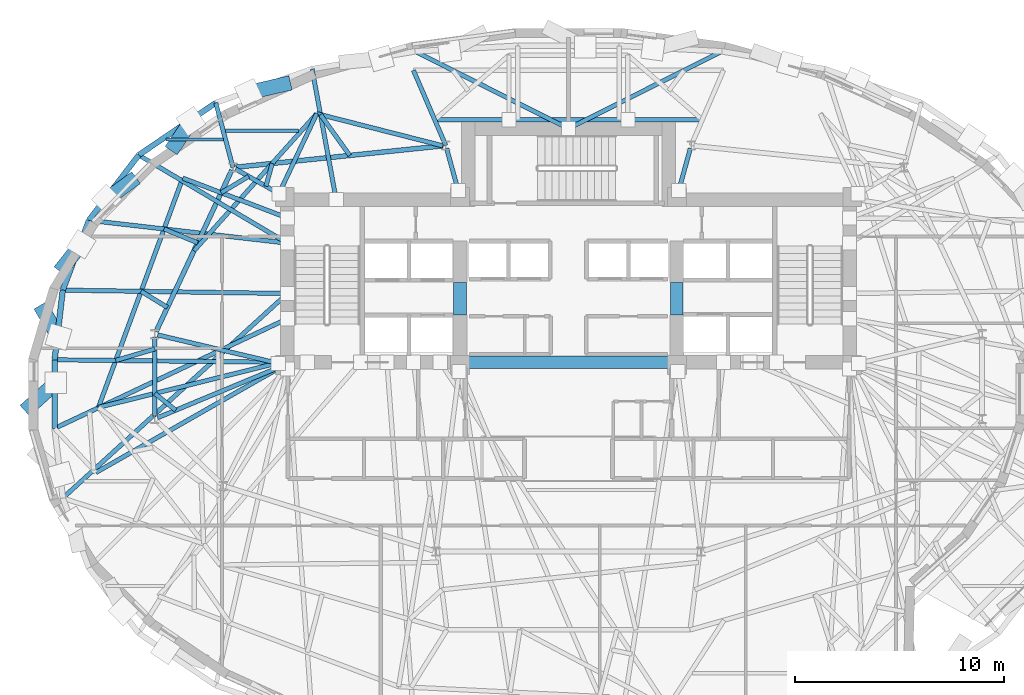
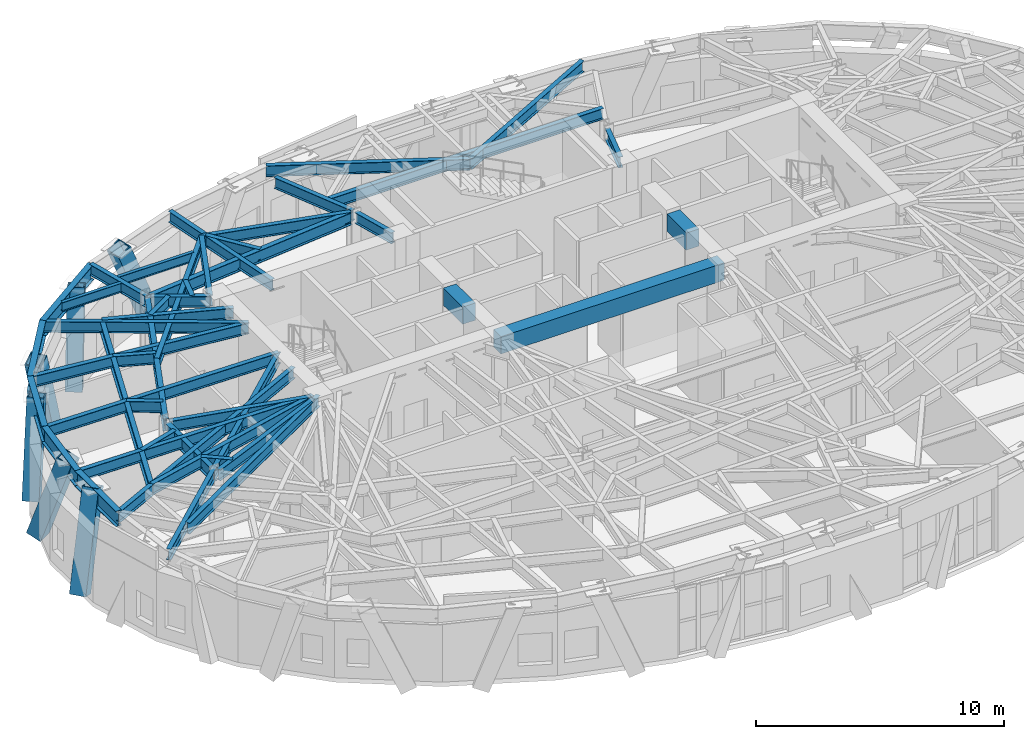
# One storey, part 3 of 16: 44 beams, 6 members.
"""IFC4 building model written with IfcOpenShell, lengths in metres."""

import ifcopenshell
import ifcopenshell.guid

model = None  # the IFC model being written
_history = None  # IfcOwnerHistory: only IFC2X3 demands one
_inside = {}  # id of a spatial element -> (the spatial element, [elements in it])
_under = {}  # id of a project, library or spatial element -> (it, [spatial elements below it])
_declared = {}  # id of a project -> (the project, [libraries it declares])
_typed = {}  # id of a type object -> (the type object, [elements of that type])
_made_of = {}  # id of a material, layer set ... -> (it, [elements and type objects made of it])


def new_model(schema):
    """Start an empty IFC model of exactly this schema.

    Asked for "IFC4X3", IfcOpenShell would pick the latest addendum, in which some entities
    have other attributes; the version numbers below select the first issue.
    IFC2X3 requires an IfcOwnerHistory on every rooted entity: one is made here for all.
    """
    global model, _history
    if schema == "IFC4X3":
        model = ifcopenshell.file(schema_version=(4, 3, 0, 0))
    else:
        model = ifcopenshell.file(schema=schema)
    _inside.clear()
    _under.clear()
    _declared.clear()
    _typed.clear()
    _made_of.clear()
    _history = None
    if model.schema == "IFC2X3":
        org = make("IfcOrganization", Name="unknown")
        user = make(
            "IfcPersonAndOrganization",
            ThePerson=make("IfcPerson", FamilyName="unknown"),
            TheOrganization=org,
        )
        app = make(
            "IfcApplication",
            ApplicationDeveloper=org,
            Version="unknown",
            ApplicationFullName="unknown",
            ApplicationIdentifier="unknown",
        )
        _history = make(
            "IfcOwnerHistory",
            OwningUser=user,
            OwningApplication=app,
            ChangeAction="ADDED",
            CreationDate=0,
        )
    return model


def make(cls, **values):
    """One entity of the class cls with the attributes given. An attribute that is None is left unset."""
    return model.create_entity(
        cls, **{name: value for name, value in values.items() if value is not None}
    )


def rooted(cls, **values):
    """An entity with a GlobalId (a new one), such as an element, a storey or a relation."""
    return make(cls, GlobalId=ifcopenshell.guid.new(), OwnerHistory=_history, **values)


def si_unit(unit_type, name, prefix=None):
    """IfcSIUnit, for example si_unit("LENGTHUNIT", "METRE", prefix="MILLI")."""
    return make("IfcSIUnit", UnitType=unit_type, Prefix=prefix, Name=name)


def assignment(units):
    """IfcUnitAssignment: the units of a project."""
    return None if units is None else make("IfcUnitAssignment", Units=units)


def point(xyz):
    """IfcCartesianPoint."""
    return None if xyz is None else make("IfcCartesianPoint", Coordinates=xyz)


def direction(xyz):
    """IfcDirection."""
    return None if xyz is None else make("IfcDirection", DirectionRatios=xyz)


def frame(location, z_axis=None, x_axis=None):
    """IfcAxis2Placement3D, a coordinate frame: its origin and axes. An axis left out is left unset."""
    return make(
        "IfcAxis2Placement3D",
        Location=point(location),
        Axis=direction(z_axis),
        RefDirection=direction(x_axis),
    )


def frame_2d(location, x_axis=None):
    """IfcAxis2Placement2D, a coordinate frame in the plane: its origin and x axis."""
    return make(
        "IfcAxis2Placement2D", Location=point(location), RefDirection=direction(x_axis)
    )


def origin():
    """The frame at (0, 0, 0) with its axes left unset."""
    return frame((0.0, 0.0, 0.0))


def origin_2d():
    """The frame at (0, 0) in the plane with its x axis left unset."""
    return frame_2d((0.0, 0.0))


def place(relative_to, where):
    """IfcLocalPlacement: puts the frame where relative to a parent placement (None: the world)."""
    return make(
        "IfcLocalPlacement", PlacementRelTo=relative_to, RelativePlacement=where
    )


def context(
    kind, dimensions, precision=None, world=None, true_north=None, identifier=None
):
    """IfcGeometricRepresentationContext, for example the 3D "Model" context."""
    return make(
        "IfcGeometricRepresentationContext",
        ContextIdentifier=identifier,
        ContextType=kind,
        CoordinateSpaceDimension=dimensions,
        Precision=precision,
        WorldCoordinateSystem=world,
        TrueNorth=true_north,
    )


def subcontext(parent, identifier, kind, view, scale=None):
    """IfcGeometricRepresentationSubContext, for example "Body" below "Model"."""
    return make(
        "IfcGeometricRepresentationSubContext",
        ContextIdentifier=identifier,
        ContextType=kind,
        ParentContext=parent,
        TargetScale=scale,
        TargetView=view,
    )


def project(units=None, contexts=None):
    """IfcProject with its units and contexts."""
    return rooted(
        "IfcProject",
        Name="project",
        RepresentationContexts=contexts,
        UnitsInContext=assignment(units),
    )


def spatial(cls, under=None, at=None, **own):
    """A site, building, storey or space (cls), placed at a placement, below another one or the project."""
    s = rooted(cls, ObjectPlacement=at, **own)
    if under is not None:
        _under.setdefault(under.id(), (under, []))[1].append(s)
    return s


def profile(cls, at=None, kind="AREA", **sizes):
    """A parametric profile (cls). Its sizes go by their IFC names, for example OverallWidth=200.0."""
    return make(cls, ProfileType=kind, Position=at, **sizes)


def rectangle(**sizes):
    """IfcRectangleProfileDef."""
    return profile("IfcRectangleProfileDef", **sizes)


def hollow_rectangle(**sizes):
    """IfcRectangleHollowProfileDef."""
    return profile("IfcRectangleHollowProfileDef", **sizes)


def i_section(**sizes):
    """IfcIShapeProfileDef."""
    return profile("IfcIShapeProfileDef", **sizes)


def extrude(swept, where, along, depth):
    """IfcExtrudedAreaSolid: the profile swept, set in the frame where, extruded along a direction by depth."""
    return make(
        "IfcExtrudedAreaSolid",
        SweptArea=swept,
        Position=where,
        ExtrudedDirection=direction(along),
        Depth=depth,
    )


def shape(context_of_items, identifier, shape_type, items):
    """IfcShapeRepresentation: the items that make up one representation, for example the "Body"."""
    return make(
        "IfcShapeRepresentation",
        ContextOfItems=context_of_items,
        RepresentationIdentifier=identifier,
        RepresentationType=shape_type,
        Items=items,
    )


def material(Name=None, Category=None):
    """IfcMaterial."""
    return make("IfcMaterial", Name=Name, Category=Category)


def material_profile(
    of_material, cross_section, Name=None, Category=None, Priority=None
):
    """IfcMaterialProfile: a cross section and its material."""
    return make(
        "IfcMaterialProfile",
        Name=Name,
        Material=of_material,
        Profile=cross_section,
        Priority=Priority,
        Category=Category,
    )


def profile_set(profiles, Name=None, composite=None):
    """IfcMaterialProfileSet."""
    return make(
        "IfcMaterialProfileSet",
        Name=Name,
        MaterialProfiles=profiles,
        CompositeProfile=composite,
    )


def made_of(thing, what):
    """Note that an element or type object is made of a material, layer set ...; save() writes the relation."""
    if what is not None:
        _made_of.setdefault(what.id(), (what, []))[1].append(thing)
    return thing


def type_object(cls, material=None, **own):
    """A type object (cls), such as IfcWallType, which elements share."""
    return made_of(rooted(cls, **own), material)


def element(
    cls,
    number,
    at=None,
    inside=None,
    cuts=None,
    type_object=None,
    material=None,
    context=None,
    identifier="Body",
    shape_type=None,
    held_by="IfcProductDefinitionShape",
    body=None,
    shapes=None,
    **own,
):
    """One element of the class cls, such as IfcWall. Its Tag is "e" and its number.

    at: its placement. inside: the storey or other place that contains it. cuts: it is an
    opening in that element (IfcRelVoidsElement). A single representation is given by context,
    identifier, shape_type and body (its items); several are given by shapes. held_by: the class
    of the entity that holds the representations. save() writes the other relations.
    """
    e = rooted(cls, Tag="e%d" % number, ObjectPlacement=at, **own)
    if body is not None:
        shapes = [shape(context, identifier, shape_type, body)]
    if shapes is not None:
        e.Representation = make(held_by, Representations=shapes)
    if inside is not None:
        _inside.setdefault(inside.id(), (inside, []))[1].append(e)
    if cuts is not None:
        rooted(
            "IfcRelVoidsElement", RelatingBuildingElement=cuts, RelatedOpeningElement=e
        )
    if type_object is not None:
        _typed.setdefault(type_object.id(), (type_object, []))[1].append(e)
    return made_of(e, material)


def aggregate(whole, parts):
    """IfcRelAggregates: a whole, such as a stair, and the parts it consists of."""
    return rooted("IfcRelAggregates", RelatingObject=whole, RelatedObjects=parts)


def save(model, path):
    """Write the relations noted so far, then the file.

    IfcRelAggregates (storeys below a building ...), IfcRelContainedInSpatialStructure (elements
    in a storey), IfcRelDefinesByType, IfcRelAssociatesMaterial and IfcRelDeclares: one each for
    every whole, place, type object, material and project.
    """
    for whole, parts in _under.values():
        aggregate(whole, parts)
    for where, things in _inside.values():
        rooted(
            "IfcRelContainedInSpatialStructure",
            RelatedElements=things,
            RelatingStructure=where,
        )
    for kind, things in _typed.values():
        rooted("IfcRelDefinesByType", RelatedObjects=things, RelatingType=kind)
    for what, things in _made_of.values():
        rooted("IfcRelAssociatesMaterial", RelatedObjects=things, RelatingMaterial=what)
    for by, libraries in _declared.values():
        rooted("IfcRelDeclares", RelatingContext=by, RelatedDefinitions=libraries)
    model.write(path)


model = new_model("IFC4")

# Units and contexts
model_context = context("Model", 3, precision=1e-05, world=origin(), true_north=direction((0.0, 1.0)))
body_context = subcontext(model_context, "Body", "Model", "MODEL_VIEW")
ifc_project = project(units=[si_unit("LENGTHUNIT", "METRE"), si_unit("AREAUNIT", "SQUARE_METRE"), si_unit("VOLUMEUNIT", "CUBIC_METRE"), si_unit("PLANEANGLEUNIT", "RADIAN"), si_unit("MASSUNIT", "GRAM", prefix="KILO")], contexts=[model_context])

# Site, building, storey
site_placement = place(None, origin())
site = spatial("IfcSite", under=ifc_project, at=site_placement, CompositionType="ELEMENT")
building_placement = place(site_placement, origin())
building = spatial("IfcBuilding", under=site, at=building_placement, Name="Keldmark Tower", CompositionType="ELEMENT")
storey_placement = place(building_placement, frame((0.0, 0.0, 139.60009765625)))
storey = spatial("IfcBuildingStorey", under=building, at=storey_placement, Name="L37", CompositionType="ELEMENT", Elevation=139.60009765625)

# Beams
ifc_material_1 = material(Name="Steel ASTM A992 Grade 50", Category="steel")
ifc_material_profile_1 = material_profile(ifc_material_1, i_section(OverallWidth=0.153076171875, OverallDepth=0.455078125, WebThickness=0.008056640625, FlangeThickness=0.01318359375, at=origin_2d()), Name="W18X40")
ifc_profile_set_1 = profile_set([ifc_material_profile_1], Name="Steel ASTM A992 Grade 50")
beam_type_1 = type_object("IfcBeamType", Name="Composite Floor Joist W18X40", PredefinedType="JOIST", material=ifc_profile_set_1)
beam_1_placement = place(storey_placement, frame((-19.28076171875, 12.199951171875, 3.79248046875), z_axis=(1.0, 0.0, 0.0), x_axis=(0.0, 1.0, 0.0)))
element("IfcBeam", 1, at=beam_1_placement, inside=storey, type_object=beam_type_1, Name="L37 Composite Floor Joist J07", PredefinedType="JOIST", context=body_context, shape_type="SweptSolid", body=[
    extrude(i_section(OverallWidth=0.153076171875, OverallDepth=0.455078125, WebThickness=0.008056640625, FlangeThickness=0.01318359375, at=origin_2d()), origin(), (0.0, 0.0, 1.0), 2.74365234375),
])
beam_2_placement = place(storey_placement, frame((-16.44970703125, 12.6201171875, 3.79248046875), z_axis=(1.0, 0.0, 0.0), x_axis=(0.0, 1.0, 0.0)))
element("IfcBeam", 2, at=beam_2_placement, inside=storey, type_object=beam_type_1, Name="L37 Composite Floor Joist J08", PredefinedType="JOIST", context=body_context, shape_type="SweptSolid", body=[
    extrude(i_section(OverallWidth=0.153076171875, OverallDepth=0.455078125, WebThickness=0.008056640625, FlangeThickness=0.01318359375, at=origin_2d()), origin(), (0.0, 0.0, 1.0), 3.51611328125),
])
ifc_material_2 = material(Name="Concrete C50/60", Category="concrete")
ifc_material_profile_2 = material_profile(ifc_material_2, rectangle(XDim=0.60009765625, YDim=0.85009765625, at=origin_2d()), Name="RCB600X850")
ifc_profile_set_2 = profile_set([ifc_material_profile_2], Name="Concrete C50/60")
beam_type_2 = type_object("IfcBeamType", Name="Core Coupling Beam RCB600X850", PredefinedType="USERDEFINED", material=ifc_profile_set_2)
for number, where, z_axis, x_axis, name in (
    (3, (-5.199951171875, 3.800048828125, 3.594970703125), (0.0, 1.0, 0.0), (-1.0, 0.0, 0.0), "L37 West Core Coupling Beam"),
    (4, (5.199951171875, 3.800048828125, 3.594970703125), (0.0, 1.0, 0.0), (-1.0, 0.0, 0.0), "L37 East Core Coupling Beam"),
):
    element("IfcBeam", number, at=place(storey_placement, frame(where, z_axis=z_axis, x_axis=x_axis)), inside=storey, type_object=beam_type_2, Name=name, ObjectType="COUPLING BEAM", PredefinedType="USERDEFINED", context=body_context, shape_type="SweptSolid", body=[
        extrude(rectangle(XDim=0.60009765625, YDim=0.85009765625, at=origin_2d()), origin(), (0.0, 0.0, 1.0), 1.550048828125),
    ])
beam_3_placement = place(storey_placement, frame((-5.199951171875, 1.52490234375, 3.594970703125), z_axis=(1.0, 0.0, 0.0), x_axis=(0.0, 1.0, 0.0)))
element("IfcBeam", 5, at=beam_3_placement, inside=storey, type_object=beam_type_2, Name="L37 Central South Core Coupling Beam", ObjectType="COUPLING BEAM", PredefinedType="USERDEFINED", context=body_context, shape_type="SweptSolid", body=[
    extrude(rectangle(XDim=0.60009765625, YDim=0.85009765625, at=origin_2d()), origin(), (0.0, 0.0, 1.0), 10.39990234375),
])

# Members
ifc_material_3 = material(Name="Steel ASTM A572 Grade 50", Category="steel")
ifc_material_profile_3 = material_profile(ifc_material_3, hollow_rectangle(XDim=0.699951171875, YDim=0.699951171875, WallThickness=0.044921875, at=origin_2d()), Name="BOX700X700X45")
ifc_profile_set_3 = profile_set([ifc_material_profile_3], Name="Steel ASTM A572 Grade 50")
member_type = type_object("IfcMemberType", Name="Diagrid Zone 2 Brace BOX700X700X45", PredefinedType="BRACE", material=ifc_profile_set_3)
member_1_placement = place(storey_placement, frame((-13.640625, 14.846923828125, -0.300048828125), z_axis=(-0.37343740778, -0.087131816105, 0.92355430219), x_axis=(0.227220764145, -0.97384327504, 0.0)))
element("IfcMember", 6, at=member_1_placement, inside=storey, type_object=member_type, Name="L37 Perimeter Diagrid Brace 06A", PredefinedType="BRACE", context=body_context, shape_type="SweptSolid", body=[
    extrude(hollow_rectangle(XDim=0.699951171875, YDim=0.699951171875, WallThickness=0.044921875, at=origin_2d()), origin(), (0.0, 0.0, 1.0), 4.547607421875),
])
member_2_placement = place(storey_placement, frame((-18.85888671875, 11.94580078125, -0.300048828125), z_axis=(0.17196231174, 0.257307798505, 0.950905705194), x_axis=(-0.831417758639, 0.555647829673, 0.0)))
element("IfcMember", 7, at=member_2_placement, inside=storey, type_object=member_type, Name="L37 Perimeter Diagrid Brace 06B", PredefinedType="BRACE", context=body_context, shape_type="SweptSolid", body=[
    extrude(hollow_rectangle(XDim=0.699951171875, YDim=0.699951171875, WallThickness=0.044921875, at=origin_2d()), origin(), (0.0, 0.0, 1.0), 4.416748046875),
])
member_3_placement = place(storey_placement, frame((-20.995849609375, 10.1826171875, -0.300048828125), z_axis=(-0.259718707042, -0.191047320096, 0.94659765196), x_axis=(0.592546825793, -0.805536007415, 0.0)))
element("IfcMember", 8, at=member_3_placement, inside=storey, type_object=member_type, Name="L37 Perimeter Diagrid Brace 07A", PredefinedType="BRACE", context=body_context, shape_type="SweptSolid", body=[
    extrude(hollow_rectangle(XDim=0.699951171875, YDim=0.699951171875, WallThickness=0.044921875, at=origin_2d()), origin(), (0.0, 0.0, 1.0), 4.43701171875),
])
member_4_placement = place(storey_placement, frame((-24.177490234375, 6.150146484375, -0.300048828125), z_axis=(0.18689791136, 0.235299535987, 0.953783675208), x_axis=(-0.783042130256, 0.62196866661, 0.0)))
element("IfcMember", 9, at=member_4_placement, inside=storey, type_object=member_type, Name="L37 Perimeter Diagrid Brace 07B", PredefinedType="BRACE", context=body_context, shape_type="SweptSolid", body=[
    extrude(hollow_rectangle(XDim=0.699951171875, YDim=0.699951171875, WallThickness=0.044921875, at=origin_2d()), origin(), (0.0, 0.0, 1.0), 4.403564453125),
])
member_5_placement = place(storey_placement, frame((-25.154541015625, 3.96826171875, -0.300048828125), z_axis=(0.160421090928, -0.2770058659, 0.947382089678), x_axis=(0.865359532122, 0.501151554089, 0.0)))
element("IfcMember", 10, at=member_5_placement, inside=storey, type_object=member_type, Name="L37 Perimeter Diagrid Brace 08A", PredefinedType="BRACE", context=body_context, shape_type="SweptSolid", body=[
    extrude(hollow_rectangle(XDim=0.699951171875, YDim=0.699951171875, WallThickness=0.044921875, at=origin_2d()), origin(), (0.0, 0.0, 1.0), 4.43310546875),
])
member_6_placement = place(storey_placement, frame((-25.815185546875, -0.58154296875, -0.300048828125), z_axis=(0.274968308637, 0.248513474309, 0.928780642742), x_axis=(-0.670516542049, 0.74189457933, 0.0)))
element("IfcMember", 11, at=member_6_placement, inside=storey, type_object=member_type, Name="L37 Perimeter Diagrid Brace 08B", PredefinedType="BRACE", context=body_context, shape_type="SweptSolid", body=[
    extrude(hollow_rectangle(XDim=0.699951171875, YDim=0.699951171875, WallThickness=0.044921875, at=origin_2d()), origin(), (0.0, 0.0, 1.0), 4.52197265625),
])

# Beams
ifc_material_4 = material(Name="Steel ASTM A992 Grade 50", Category="steel")
ifc_material_profile_4 = material_profile(ifc_material_4, i_section(OverallWidth=0.22900390625, OverallDepth=0.612060546875, WebThickness=0.011962890625, FlangeThickness=0.01953125, at=origin_2d()), Name="W24X84")
ifc_profile_set_4 = profile_set([ifc_material_profile_4], Name="Steel ASTM A992 Grade 50")
beam_type_3 = type_object("IfcBeamType", Name="Primary Floor Girder W24X84", PredefinedType="BEAM", material=ifc_profile_set_4)
beam_4_placement = place(storey_placement, frame((-6.01953125, 11.90087890625, 3.7138671875), z_axis=(-0.994702930931, -0.102791435423, 0.0), x_axis=(0.102791435423, -0.994702930931, 0.0)))
element("IfcBeam", 12, at=beam_4_placement, inside=storey, type_object=beam_type_3, Name="L37 Floor Ring Girder FG-R04", PredefinedType="BEAM", context=body_context, shape_type="SweptSolid", body=[
    extrude(i_section(OverallWidth=0.22900390625, OverallDepth=0.612060546875, WebThickness=0.011962890625, FlangeThickness=0.01953125, at=origin_2d()), origin(), (0.0, 0.0, 1.0), 9.975341796875),
])
beam_5_placement = place(storey_placement, frame((-16.140869140625, 10.734130859375, 3.7138671875), z_axis=(-0.424526823774, -0.905415360979, 0.0), x_axis=(0.905415360979, -0.424526823774, 0.0)))
element("IfcBeam", 13, at=beam_5_placement, inside=storey, type_object=beam_type_3, Name="L37 Floor Ring Girder FG-R05", PredefinedType="BEAM", context=body_context, shape_type="SweptSolid", body=[
    extrude(i_section(OverallWidth=0.22900390625, OverallDepth=0.612060546875, WebThickness=0.011962890625, FlangeThickness=0.01953125, at=origin_2d()), origin(), (0.0, 0.0, 1.0), 8.54638671875),
])
beam_6_placement = place(storey_placement, frame((-19.828369140625, 2.729248046875, 3.7138671875), z_axis=(0.0, -1.0, 0.0), x_axis=(1.0, 0.0, 0.0)))
element("IfcBeam", 14, at=beam_6_placement, inside=storey, type_object=beam_type_3, Name="L37 Floor Ring Girder FG-R06", PredefinedType="BEAM", context=body_context, shape_type="SweptSolid", body=[
    extrude(i_section(OverallWidth=0.22900390625, OverallDepth=0.612060546875, WebThickness=0.011962890625, FlangeThickness=0.01953125, at=origin_2d()), origin(), (0.0, 0.0, 1.0), 3.778564453125),
])
ifc_material_5 = material(Name="Steel ASTM A992 Grade 50", Category="steel")
ifc_material_profile_5 = material_profile(ifc_material_5, i_section(OverallWidth=0.2099609375, OverallDepth=0.537109375, WebThickness=0.010986328125, FlangeThickness=0.017333984375, at=origin_2d()), Name="W21X68")
ifc_profile_set_5 = profile_set([ifc_material_profile_5], Name="Steel ASTM A992 Grade 50")
beam_type_4 = type_object("IfcBeamType", Name="Radial Tie Girder W21X68", PredefinedType="BEAM", material=ifc_profile_set_5)
for number, where, z_axis, x_axis, name in (
    (15, (5.843017578125, 11.7802734375, 3.75146484375), (-0.265992411, -0.963975122755, 0.0), (0.963975122755, -0.265992411, 0.0), "L37 Floor Radial Girder FG-C03"),
    (16, (-5.843017578125, 11.7802734375, 3.75146484375), (0.265992411, -0.963975122755, 0.0), (0.963975122755, 0.265992411, 0.0), "L37 Floor Radial Girder FG-C04"),
):
    element("IfcBeam", number, at=place(storey_placement, frame(where, z_axis=z_axis, x_axis=x_axis)), inside=storey, type_object=beam_type_4, Name=name, PredefinedType="BEAM", context=body_context, shape_type="SweptSolid", body=[
        extrude(i_section(OverallWidth=0.2099609375, OverallDepth=0.537109375, WebThickness=0.010986328125, FlangeThickness=0.017333984375, at=origin_2d()), origin(), (0.0, 0.0, 1.0), 2.09716796875),
    ])
beam_7_placement = place(storey_placement, frame((-15.959716796875, 10.791748046875, 3.75146484375), z_axis=(0.86929527307, -0.494293160197, 0.0), x_axis=(0.494293160197, 0.86929527307, 0.0)))
element("IfcBeam", 17, at=beam_7_placement, inside=storey, type_object=beam_type_4, Name="L37 Floor Radial Girder FG-C05", PredefinedType="BEAM", context=body_context, shape_type="SweptSolid", body=[
    extrude(i_section(OverallWidth=0.2099609375, OverallDepth=0.537109375, WebThickness=0.010986328125, FlangeThickness=0.017333984375, at=origin_2d()), origin(), (0.0, 0.0, 1.0), 2.39453125),
])
beam_8_placement = place(storey_placement, frame((-19.692138671875, 2.837158203125, 3.75146484375), z_axis=(0.973280062348, -0.229621253887, 0.0), x_axis=(0.229621253887, 0.973280062348, 0.0)))
element("IfcBeam", 18, at=beam_8_placement, inside=storey, type_object=beam_type_4, Name="L37 Floor Radial Girder FG-C06", PredefinedType="BEAM", context=body_context, shape_type="SweptSolid", body=[
    extrude(i_section(OverallWidth=0.2099609375, OverallDepth=0.537109375, WebThickness=0.010986328125, FlangeThickness=0.017333984375, at=origin_2d()), origin(), (0.0, 0.0, 1.0), 5.939208984375),
])
beam_9_placement = place(storey_placement, frame((-19.69921875, -1.135498046875, 3.75146484375), z_axis=(0.923393794893, 0.383854008124, 0.0), x_axis=(-0.383854008124, 0.923393794893, 0.0)))
element("IfcBeam", 19, at=beam_9_placement, inside=storey, type_object=beam_type_4, Name="L37 Floor Radial Girder FG-C07", PredefinedType="BEAM", context=body_context, shape_type="SweptSolid", body=[
    extrude(i_section(OverallWidth=0.2099609375, OverallDepth=0.537109375, WebThickness=0.010986328125, FlangeThickness=0.017333984375, at=origin_2d()), origin(), (0.0, 0.0, 1.0), 6.28515625),
])
beam_10_placement = place(storey_placement, frame((-15.335205078125, 10.436767578125, 3.75146484375), z_axis=(-0.858533508586, -0.512757461803, 0.0), x_axis=(0.512757461803, -0.858533508586, 0.0)))
element("IfcBeam", 20, at=beam_10_placement, inside=storey, type_object=beam_type_4, Name="L37 Framing Pin Header PH-002", PredefinedType="BEAM", context=body_context, shape_type="SweptSolid", body=[
    extrude(i_section(OverallWidth=0.2099609375, OverallDepth=0.537109375, WebThickness=0.010986328125, FlangeThickness=0.017333984375, at=origin_2d()), origin(), (0.0, 0.0, 1.0), 1.529296875),
])
beam_11_placement = place(storey_placement, frame((-13.47509765625, 8.44287109375, 3.75146484375), z_axis=(-0.934404087684, 0.356214824116, 0.0), x_axis=(-0.356214824116, -0.934404087684, 0.0)))
element("IfcBeam", 21, at=beam_11_placement, inside=storey, type_object=beam_type_4, Name="L37 Sub-Ring Step Girder STP1-M06", PredefinedType="BEAM", context=body_context, shape_type="SweptSolid", body=[
    extrude(i_section(OverallWidth=0.2099609375, OverallDepth=0.537109375, WebThickness=0.010986328125, FlangeThickness=0.017333984375, at=origin_2d()), origin(), (0.0, 0.0, 1.0), 5.365234375),
])
beam_12_placement = place(storey_placement, frame((-18.82861328125, -0.773681640625, 3.75146484375), z_axis=(-0.778637780949, 0.627473669629, 0.0), x_axis=(-0.627473669629, -0.778637780949, 0.0)))
element("IfcBeam", 22, at=beam_12_placement, inside=storey, type_object=beam_type_4, Name="L37 Framing Pin Header PH-003", PredefinedType="BEAM", context=body_context, shape_type="SweptSolid", body=[
    extrude(i_section(OverallWidth=0.2099609375, OverallDepth=0.537109375, WebThickness=0.010986328125, FlangeThickness=0.017333984375, at=origin_2d()), origin(), (0.0, 0.0, 1.0), 1.283935546875),
])
beam_13_placement = place(storey_placement, frame((-13.800048828125, 1.52490234375, 3.75146484375), z_axis=(-0.970682897113, -0.240363710347, 0.0), x_axis=(0.240363710347, -0.970682897113, 0.0)))
element("IfcBeam", 23, at=beam_13_placement, inside=storey, type_object=beam_type_4, Name="L37 Sub-Ring Step Girder STP1-M07", PredefinedType="BEAM", context=body_context, shape_type="SweptSolid", body=[
    extrude(i_section(OverallWidth=0.2099609375, OverallDepth=0.537109375, WebThickness=0.010986328125, FlangeThickness=0.017333984375, at=origin_2d()), origin(), (0.0, 0.0, 1.0), 8.9951171875),
])
beam_14_placement = place(storey_placement, frame((-18.48828125, 10.35400390625, 3.75146484375), z_axis=(-0.345240640508, -0.938514198157, 0.0), x_axis=(0.938514198157, -0.345240640508, 0.0)))
element("IfcBeam", 24, at=beam_14_placement, inside=storey, type_object=beam_type_4, Name="L37 Perimeter Collector Ring Beam CRG1-M06", PredefinedType="BEAM", context=body_context, shape_type="SweptSolid", body=[
    extrude(i_section(OverallWidth=0.2099609375, OverallDepth=0.537109375, WebThickness=0.010986328125, FlangeThickness=0.017333984375, at=origin_2d()), origin(), (0.0, 0.0, 1.0), 11.711181640625),
])
beam_15_placement = place(storey_placement, frame((-14.502685546875, 9.96337890625, 3.75146484375), z_axis=(0.263847520436, 0.964564402184, 0.0), x_axis=(-0.964564402184, 0.263847520436, 0.0)))
element("IfcBeam", 25, at=beam_15_placement, inside=storey, type_object=beam_type_4, Name="L37 Framing Pin Header PH-020", PredefinedType="BEAM", context=body_context, shape_type="SweptSolid", body=[
    extrude(i_section(OverallWidth=0.2099609375, OverallDepth=0.537109375, WebThickness=0.010986328125, FlangeThickness=0.017333984375, at=origin_2d()), origin(), (0.0, 0.0, 1.0), 1.131591796875),
])
beam_16_placement = place(storey_placement, frame((-17.954833984375, 6.864990234375, 3.75146484375), z_axis=(0.66697110031, 0.745083586822, 0.0), x_axis=(-0.745083586822, 0.66697110031, 0.0)))
element("IfcBeam", 26, at=beam_16_placement, inside=storey, type_object=beam_type_4, Name="L37 Intermediate Radial Step Girder RT-11M", PredefinedType="BEAM", context=body_context, shape_type="SweptSolid", body=[
    extrude(i_section(OverallWidth=0.2099609375, OverallDepth=0.537109375, WebThickness=0.010986328125, FlangeThickness=0.017333984375, at=origin_2d()), origin(), (0.0, 0.0, 1.0), 8.826416015625),
])
beam_17_placement = place(storey_placement, frame((-13.878173828125, 9.608154296875, 3.75146484375), z_axis=(0.427036390503, 0.904234439283, 0.0), x_axis=(-0.904234439283, 0.427036390503, 0.0)))
element("IfcBeam", 27, at=beam_17_placement, inside=storey, type_object=beam_type_4, Name="L37 Local Collector Chord RT-11C", PredefinedType="BEAM", context=body_context, shape_type="SweptSolid", body=[
    extrude(i_section(OverallWidth=0.2099609375, OverallDepth=0.537109375, WebThickness=0.010986328125, FlangeThickness=0.017333984375, at=origin_2d()), origin(), (0.0, 0.0, 1.0), 4.2392578125),
])
beam_18_placement = place(storey_placement, frame((-16.08154296875, 10.861083984375, 3.75146484375), z_axis=(-0.256914644117, 0.966434097928, 0.0), x_axis=(-0.966434097928, -0.256914644117, 0.0)))
element("IfcBeam", 28, at=beam_18_placement, inside=storey, type_object=beam_type_4, Name="L37 Perimeter Column Bracket RT-12", PredefinedType="BEAM", context=body_context, shape_type="SweptSolid", body=[
    extrude(i_section(OverallWidth=0.2099609375, OverallDepth=0.537109375, WebThickness=0.010986328125, FlangeThickness=0.017333984375, at=origin_2d()), origin(), (0.0, 0.0, 1.0), 3.2099609375),
])
beam_19_placement = place(storey_placement, frame((-13.47509765625, 7.235595703125, 3.75146484375), z_axis=(-0.860216832851, 0.50992842682, 0.0), x_axis=(-0.50992842682, -0.860216832851, 0.0)))
element("IfcBeam", 29, at=beam_19_placement, inside=storey, type_object=beam_type_4, Name="L37 Perimeter Radial Tie Girder RT-13", PredefinedType="BEAM", context=body_context, shape_type="SweptSolid", body=[
    extrude(i_section(OverallWidth=0.2099609375, OverallDepth=0.537109375, WebThickness=0.010986328125, FlangeThickness=0.017333984375, at=origin_2d()), origin(), (0.0, 0.0, 1.0), 8.28271484375),
])
beam_20_placement = place(storey_placement, frame((-17.7734375, 7.251953125, 3.75146484375), z_axis=(-0.924750603815, 0.380573673215, 0.0), x_axis=(-0.380573673215, -0.924750603815, 0.0)))
element("IfcBeam", 30, at=beam_20_placement, inside=storey, type_object=beam_type_4, Name="L37 Framing Pin Header PH-021", PredefinedType="BEAM", context=body_context, shape_type="SweptSolid", body=[
    extrude(i_section(OverallWidth=0.2099609375, OverallDepth=0.537109375, WebThickness=0.010986328125, FlangeThickness=0.017333984375, at=origin_2d()), origin(), (0.0, 0.0, 1.0), 1.742919921875),
])
beam_21_placement = place(storey_placement, frame((-13.47509765625, 7.235595703125, 3.75146484375), z_axis=(-0.993454397878, 0.114229415374, 0.0), x_axis=(-0.114229415374, -0.993454397878, 0.0)))
element("IfcBeam", 31, at=beam_21_placement, inside=storey, type_object=beam_type_4, Name="L37 Perimeter Radial Tie Girder RT-14", PredefinedType="BEAM", context=body_context, shape_type="SweptSolid", body=[
    extrude(i_section(OverallWidth=0.2099609375, OverallDepth=0.537109375, WebThickness=0.010986328125, FlangeThickness=0.017333984375, at=origin_2d()), origin(), (0.0, 0.0, 1.0), 9.579345703125),
])
beam_22_placement = place(storey_placement, frame((-19.224853515625, 4.15673828125, 3.75146484375), z_axis=(-0.853085610396, 0.521770966359, 0.0), x_axis=(-0.521770966359, -0.853085610396, 0.0)))
element("IfcBeam", 32, at=beam_22_placement, inside=storey, type_object=beam_type_4, Name="L37 Framing Pin Header PH-022", PredefinedType="BEAM", context=body_context, shape_type="SweptSolid", body=[
    extrude(i_section(OverallWidth=0.2099609375, OverallDepth=0.537109375, WebThickness=0.010986328125, FlangeThickness=0.017333984375, at=origin_2d()), origin(), (0.0, 0.0, 1.0), 1.476806640625),
])
beam_23_placement = place(storey_placement, frame((-13.47509765625, 4.8212890625, 3.75146484375), z_axis=(-0.999885937141, 0.015103400561, 0.0), x_axis=(-0.015103400561, -0.999885937141, 0.0)))
element("IfcBeam", 33, at=beam_23_placement, inside=storey, type_object=beam_type_4, Name="L37 Perimeter Radial Tie Girder RT-15", PredefinedType="BEAM", context=body_context, shape_type="SweptSolid", body=[
    extrude(i_section(OverallWidth=0.2099609375, OverallDepth=0.537109375, WebThickness=0.010986328125, FlangeThickness=0.017333984375, at=origin_2d()), origin(), (0.0, 0.0, 1.0), 10.765625),
])
beam_24_placement = place(storey_placement, frame((-19.828369140625, 2.162353515625, 3.75146484375), z_axis=(-0.959558186401, -0.281510367324, 0.0), x_axis=(0.281510367324, -0.959558186401, 0.0)))
element("IfcBeam", 34, at=beam_24_placement, inside=storey, type_object=beam_type_4, Name="L37 Framing Pin Header PH-023", PredefinedType="BEAM", context=body_context, shape_type="SweptSolid", body=[
    extrude(i_section(OverallWidth=0.2099609375, OverallDepth=0.537109375, WebThickness=0.010986328125, FlangeThickness=0.017333984375, at=origin_2d()), origin(), (0.0, 0.0, 1.0), 1.954833984375),
])
beam_25_placement = place(storey_placement, frame((-13.800048828125, 1.52490234375, 3.75146484375), z_axis=(-0.999939263802, 0.011021284317, 0.0), x_axis=(-0.011021284317, -0.999939263802, 0.0)))
element("IfcBeam", 35, at=beam_25_placement, inside=storey, type_object=beam_type_4, Name="L37 Perimeter Radial Tie Girder RT-16", PredefinedType="BEAM", context=body_context, shape_type="SweptSolid", body=[
    extrude(i_section(OverallWidth=0.2099609375, OverallDepth=0.537109375, WebThickness=0.010986328125, FlangeThickness=0.017333984375, at=origin_2d()), origin(), (0.0, 0.0, 1.0), 10.832275390625),
])
beam_26_placement = place(storey_placement, frame((-13.47509765625, 3.6142578125, 3.75146484375), z_axis=(-0.904555198909, -0.426356531704, 0.0), x_axis=(0.426356531704, -0.904555198909, 0.0)))
element("IfcBeam", 36, at=beam_26_placement, inside=storey, type_object=beam_type_4, Name="L37 Perimeter Radial Tie Girder RT-17", PredefinedType="BEAM", context=body_context, shape_type="SweptSolid", body=[
    extrude(i_section(OverallWidth=0.2099609375, OverallDepth=0.537109375, WebThickness=0.010986328125, FlangeThickness=0.017333984375, at=origin_2d()), origin(), (0.0, 0.0, 1.0), 12.333740234375),
])
beam_27_placement = place(storey_placement, frame((-13.60009765625, 1.39990234375, 3.75146484375), z_axis=(-0.868773238183, -0.495210117644, 0.0), x_axis=(0.495210117644, -0.868773238183, 0.0)))
element("IfcBeam", 37, at=beam_27_placement, inside=storey, type_object=beam_type_4, Name="L37 Intermediate Radial Step Girder RT-18M", PredefinedType="BEAM", context=body_context, shape_type="SweptSolid", body=[
    extrude(i_section(OverallWidth=0.2099609375, OverallDepth=0.537109375, WebThickness=0.010986328125, FlangeThickness=0.017333984375, at=origin_2d()), origin(), (0.0, 0.0, 1.0), 10.420166015625),
])
beam_28_placement = place(storey_placement, frame((-13.47509765625, 4.8212890625, 3.75146484375), z_axis=(-0.739278135898, -0.673400206254, 0.0), x_axis=(0.673400206254, -0.739278135898, 0.0)))
element("IfcBeam", 38, at=beam_28_placement, inside=storey, type_object=beam_type_4, Name="L37 Perimeter Radial Tie Girder RT-18", PredefinedType="BEAM", context=body_context, shape_type="SweptSolid", body=[
    extrude(i_section(OverallWidth=0.2099609375, OverallDepth=0.537109375, WebThickness=0.010986328125, FlangeThickness=0.017333984375, at=origin_2d()), origin(), (0.0, 0.0, 1.0), 14.560791015625),
])
beam_29_placement = place(storey_placement, frame((-5.880126953125, 11.915283203125, 3.75146484375), z_axis=(-0.395414566393, 0.918502760303, 0.0), x_axis=(-0.918502760303, -0.395414566393, 0.0)))
element("IfcBeam", 39, at=beam_29_placement, inside=storey, type_object=beam_type_4, Name="L37 North Column Cantilever Girder West FG-TCN-W", PredefinedType="BEAM", context=body_context, shape_type="SweptSolid", body=[
    extrude(i_section(OverallWidth=0.2099609375, OverallDepth=0.537109375, WebThickness=0.010986328125, FlangeThickness=0.017333984375, at=origin_2d()), origin(), (0.0, 0.0, 1.0), 3.920166015625),
])
beam_30_placement = place(storey_placement, frame((-6.41162109375, 13.14990234375, 3.75146484375), z_axis=(1.0, 0.0, 0.0), x_axis=(0.0, 1.0, 0.0)))
element("IfcBeam", 40, at=beam_30_placement, inside=storey, type_object=beam_type_4, Name="L37 North Inner Header Girder FG-TCN-H0", PredefinedType="BEAM", context=body_context, shape_type="SweptSolid", body=[
    extrude(i_section(OverallWidth=0.2099609375, OverallDepth=0.537109375, WebThickness=0.010986328125, FlangeThickness=0.017333984375, at=origin_2d()), origin(), (0.0, 0.0, 1.0), 12.8232421875),
])
for number, where, z_axis, x_axis, name in (
    (41, (0.0, 12.72509765625, 3.75146484375), (0.893041119983, 0.449975063776, 0.0), (-0.449975063776, 0.893041119983, 0.0), "L37 Perimeter Radial Tie Girder RT-07R"),
    (42, (0.0, 12.72509765625, 3.75146484375), (-0.893041119983, 0.449975063776, 0.0), (-0.449975063776, -0.893041119983, 0.0), "L37 Perimeter Radial Tie Girder RT-10R"),
):
    element("IfcBeam", number, at=place(storey_placement, frame(where, z_axis=z_axis, x_axis=x_axis)), inside=storey, type_object=beam_type_4, Name=name, PredefinedType="BEAM", context=body_context, shape_type="SweptSolid", body=[
        extrude(i_section(OverallWidth=0.2099609375, OverallDepth=0.537109375, WebThickness=0.010986328125, FlangeThickness=0.017333984375, at=origin_2d()), origin(), (0.0, 0.0, 1.0), 8.2333984375),
    ])
beam_31_placement = place(storey_placement, frame((-6.01953125, 11.90087890625, 3.75146484375), z_axis=(-0.969060779757, 0.246822213622, 0.0), x_axis=(-0.246822213622, -0.969060779757, 0.0)))
element("IfcBeam", 43, at=beam_31_placement, inside=storey, type_object=beam_type_4, Name="L37 Straddling Support Chord RT-11RB", PredefinedType="BEAM", context=body_context, shape_type="SweptSolid", body=[
    extrude(i_section(OverallWidth=0.2099609375, OverallDepth=0.537109375, WebThickness=0.010986328125, FlangeThickness=0.017333984375, at=origin_2d()), origin(), (0.0, 0.0, 1.0), 6.241455078125),
])
beam_32_placement = place(storey_placement, frame((-10.484619140625, 11.439453125, 3.75146484375), z_axis=(-0.58241836527, 0.812889197736, 0.0), x_axis=(-0.812889197736, -0.58241836527, 0.0)))
element("IfcBeam", 44, at=beam_32_placement, inside=storey, type_object=beam_type_4, Name="L37 Framing Pin Header PH-042", PredefinedType="BEAM", context=body_context, shape_type="SweptSolid", body=[
    extrude(i_section(OverallWidth=0.2099609375, OverallDepth=0.537109375, WebThickness=0.010986328125, FlangeThickness=0.017333984375, at=origin_2d()), origin(), (0.0, 0.0, 1.0), 2.40576171875),
])
beam_33_placement = place(storey_placement, frame((-11.1357421875, 9.324951171875, 3.75146484375), z_axis=(-0.181244438685, 0.983438078094, 0.0), x_axis=(-0.983438078094, -0.181244438685, 0.0)))
element("IfcBeam", 45, at=beam_33_placement, inside=storey, type_object=beam_type_4, Name="L37 Perimeter Radial Tie Girder RT-11R", PredefinedType="BEAM", context=body_context, shape_type="SweptSolid", body=[
    extrude(i_section(OverallWidth=0.2099609375, OverallDepth=0.537109375, WebThickness=0.010986328125, FlangeThickness=0.017333984375, at=origin_2d()), origin(), (0.0, 0.0, 1.0), 6.36474609375),
])
ifc_material_6 = material(Name="Steel ASTM A992 Grade 50", Category="steel")
ifc_material_profile_6 = material_profile(ifc_material_6, i_section(OverallWidth=0.26806640625, OverallDepth=0.77001953125, WebThickness=0.015625, FlangeThickness=0.025390625, at=origin_2d()), Name="W30X132")
ifc_profile_set_6 = profile_set([ifc_material_profile_6], Name="Steel ASTM A992 Grade 50")
beam_type_5 = type_object("IfcBeamType", Name="Spandrel Ring Beam W30X132", PredefinedType="SPANDREL", material=ifc_profile_set_6)
beam_34_placement = place(storey_placement, frame((-16.90625, 13.96337890625, 3.635009765625), z_axis=(-0.827724433139, -0.561134799121, 0.0), x_axis=(0.561134799121, -0.827724433139, 0.0)))
element("IfcBeam", 46, at=beam_34_placement, inside=storey, type_object=beam_type_5, Name="L37 Perimeter Spandrel Ring Beam SRB-12", PredefinedType="SPANDREL", context=body_context, shape_type="SweptSolid", body=[
    extrude(i_section(OverallWidth=0.26806640625, OverallDepth=0.77001953125, WebThickness=0.015625, FlangeThickness=0.025390625, at=origin_2d()), origin(), (0.0, 0.0, 1.0), 4.462646484375),
])
beam_35_placement = place(storey_placement, frame((-20.60009765625, 11.459228515625, 3.635009765625), z_axis=(-0.607215400231, -0.794537260122, 0.0), x_axis=(0.794537260122, -0.607215400231, 0.0)))
element("IfcBeam", 47, at=beam_35_placement, inside=storey, type_object=beam_type_5, Name="L37 Perimeter Spandrel Ring Beam SRB-13", PredefinedType="SPANDREL", context=body_context, shape_type="SweptSolid", body=[
    extrude(i_section(OverallWidth=0.26806640625, OverallDepth=0.77001953125, WebThickness=0.015625, FlangeThickness=0.025390625, at=origin_2d()), origin(), (0.0, 0.0, 1.0), 3.938720703125),
])
beam_36_placement = place(storey_placement, frame((-22.99169921875, 8.329833984375, 3.635009765625), z_axis=(-0.349422124021, -0.936965409844, 0.0), x_axis=(0.936965409844, -0.349422124021, 0.0)))
element("IfcBeam", 48, at=beam_36_placement, inside=storey, type_object=beam_type_5, Name="L37 Perimeter Spandrel Ring Beam SRB-14", PredefinedType="SPANDREL", context=body_context, shape_type="SweptSolid", body=[
    extrude(i_section(OverallWidth=0.26806640625, OverallDepth=0.77001953125, WebThickness=0.015625, FlangeThickness=0.025390625, at=origin_2d()), origin(), (0.0, 0.0, 1.0), 3.571044921875),
])
beam_37_placement = place(storey_placement, frame((-24.239501953125, 4.98388671875, 3.635009765625), z_axis=(-0.116605336518, -0.993178330158, 0.0), x_axis=(0.993178330158, -0.116605336518, 0.0)))
element("IfcBeam", 49, at=beam_37_placement, inside=storey, type_object=beam_type_5, Name="L37 Perimeter Spandrel Ring Beam SRB-15", PredefinedType="SPANDREL", context=body_context, shape_type="SweptSolid", body=[
    extrude(i_section(OverallWidth=0.26806640625, OverallDepth=0.77001953125, WebThickness=0.015625, FlangeThickness=0.025390625, at=origin_2d()), origin(), (0.0, 0.0, 1.0), 3.362548828125),
])
beam_38_placement = place(storey_placement, frame((-24.631591796875, 1.644287109375, 3.635009765625), z_axis=(0.0, -1.0, 0.0), x_axis=(1.0, 0.0, 0.0)))
element("IfcBeam", 50, at=beam_38_placement, inside=storey, type_object=beam_type_5, Name="L37 Perimeter Spandrel Ring Beam SRB-16", PredefinedType="SPANDREL", context=body_context, shape_type="SweptSolid", body=[
    extrude(i_section(OverallWidth=0.26806640625, OverallDepth=0.77001953125, WebThickness=0.015625, FlangeThickness=0.025390625, at=origin_2d()), origin(), (0.0, 0.0, 1.0), 3.28857421875),
])

save(model, "model.ifc")
